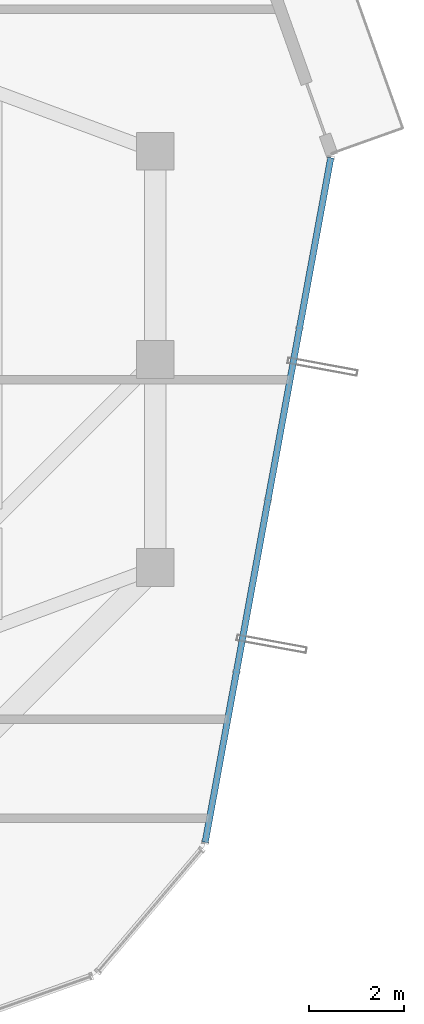
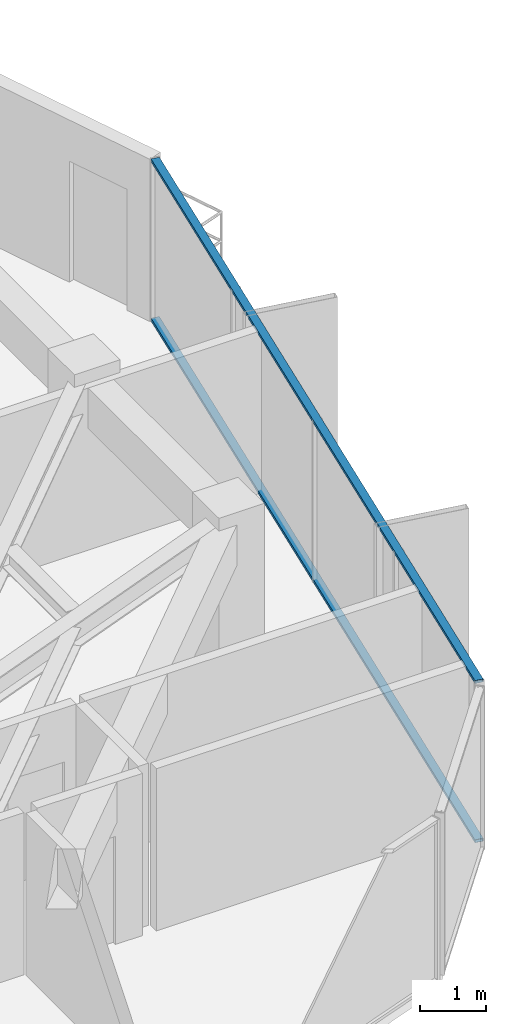
# One storey, part 19 of 29: 2 members, 1 element without a shape of its own.
"""IFC4 building model written with IfcOpenShell, lengths in metres."""

from ifc_helpers import new_model, si_unit, direction, frame, origin, origin_2d, place, context, subcontext, project, spatial, hollow_rectangle, extrude, source, transform, mapped, material, layer, layer_set, material_profile, profile_set, type_object, element, aggregate, save


model = new_model("IFC4")

# Units and contexts
model_context = context("Model", 3, precision=1e-05, world=origin(), true_north=direction((0.0, 1.0)))
body_context = subcontext(model_context, "Body", "Model", "MODEL_VIEW")
ifc_project = project(units=[si_unit("LENGTHUNIT", "METRE"), si_unit("AREAUNIT", "SQUARE_METRE"), si_unit("VOLUMEUNIT", "CUBIC_METRE"), si_unit("PLANEANGLEUNIT", "RADIAN"), si_unit("MASSUNIT", "GRAM", prefix="KILO")], contexts=[model_context])

# Site, building, storey
site_placement = place(None, origin())
site = spatial("IfcSite", under=ifc_project, at=site_placement, CompositionType="ELEMENT")
building_placement = place(site_placement, origin())
building = spatial("IfcBuilding", under=site, at=building_placement, Name="Veraguas Prism Commons", CompositionType="ELEMENT")
storey_placement = place(building_placement, frame((0.0, 0.0, 244.75)))
storey = spatial("IfcBuildingStorey", under=building, at=storey_placement, Name="L69", CompositionType="ELEMENT", Elevation=244.75)

# Curtain wall, members
ifc_material = material(Name="Anodised aluminium EN AW-6063 T6", Category="aluminium")
ifc_layer = layer(ifc_material, 0.14990234375, Name="Unitised Flush Curtain Wall Zone 4", Category="aluminium")
ifc_layer_set = layer_set([ifc_layer], Name="Anodised aluminium EN AW-6063 T6")
curtain_wall_type = type_object("IfcCurtainWallType", Name="Unitised Flush Curtain Wall Zone 4", PredefinedType="NOTDEFINED", material=ifc_layer_set)
curtain_wall_placement = place(storey_placement, origin())
curtain_wall = element("IfcCurtainWall", 1, at=curtain_wall_placement, inside=storey, type_object=curtain_wall_type, Name="Tower Facade Curtain Wall L69-F6", PredefinedType="NOTDEFINED")
ifc_material_profile = material_profile(ifc_material, hollow_rectangle(XDim=0.054931640625, YDim=0.135009765625, WallThickness=0.0029296875, at=origin_2d()), Name="AL55X135X3")
ifc_profile_set = profile_set([ifc_material_profile], Name="Anodised aluminium EN AW-6063 T6")
member_type = type_object("IfcMemberType", Name="Curtain Wall Transom Standard AL 55x135x3", PredefinedType="USERDEFINED", material=ifc_profile_set)
shared_shape = source(origin(), body_context, "Body", "SweptSolid", [
    extrude(hollow_rectangle(XDim=0.054931640625, YDim=0.135009765625, WallThickness=0.0029296875, at=origin_2d()), origin(), (0.0, 0.0, 1.0), 14.706787109375),
])
member_1_placement = place(storey_placement, frame((38.856689453125, 13.797119140625, 0.027587890625), z_axis=(0.180515509618, 0.98357213807, 0.0), x_axis=(0.0, 0.0, 1.0)))
member_1 = element("IfcMember", 2, at=member_1_placement, type_object=member_type, Name="CW-Z4 Transom 1", ObjectType="TRANSOM", PredefinedType="USERDEFINED", context=body_context, shape_type="MappedRepresentation", body=[
    mapped(shared_shape, transform((0.0, 0.0, 0.0), scale=1.0)),
])
member_2_placement = place(storey_placement, frame((38.856689453125, 13.797119140625, 2.987548828125), z_axis=(0.180515509618, 0.98357213807, 0.0), x_axis=(0.0, 0.0, 1.0)))
member_2 = element("IfcMember", 3, at=member_2_placement, type_object=member_type, Name="CW-Z4 Transom 2", ObjectType="TRANSOM", PredefinedType="USERDEFINED", context=body_context, shape_type="MappedRepresentation", body=[
    mapped(shared_shape, transform((0.0, 0.0, 0.0), scale=1.0)),
])
aggregate(curtain_wall, [member_1, member_2])

save(model, "model.ifc")
